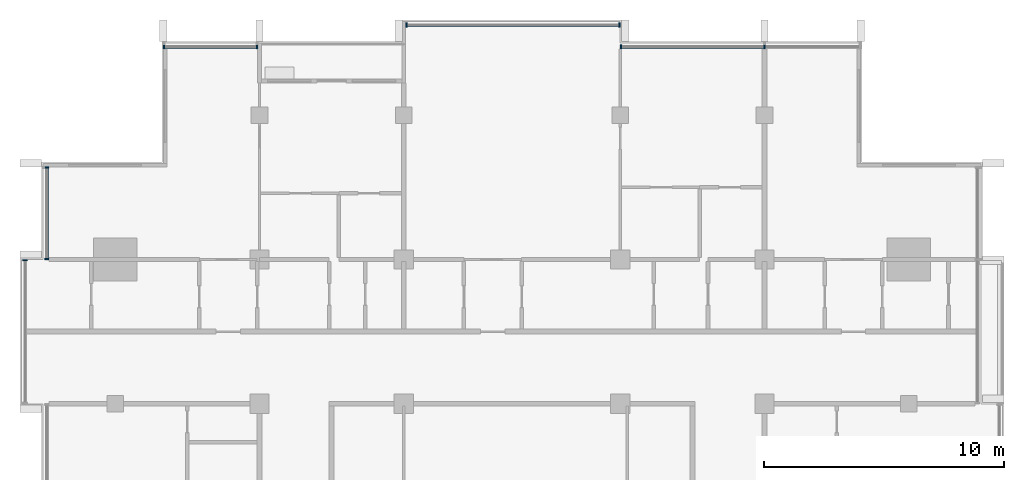
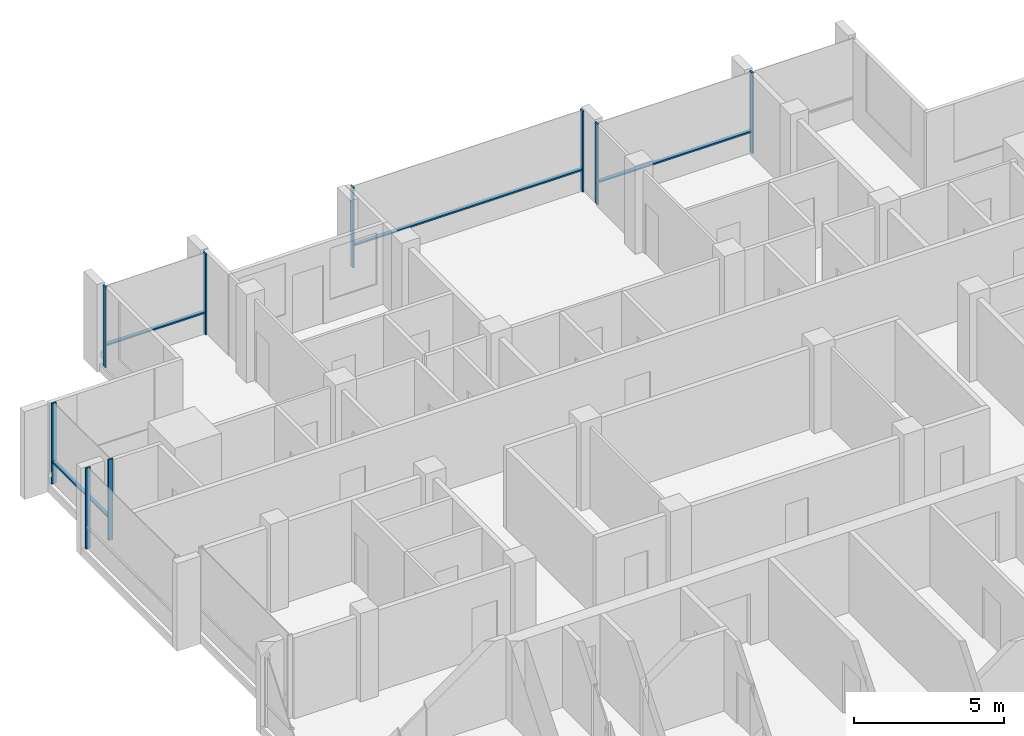
# One storey, part 4 of 16: 13 members, 5 elements without a shape of their own.
"""IFC4 building model written with IfcOpenShell, lengths in metres."""

from ifc_helpers import new_model, si_unit, direction, frame, origin, origin_2d, place, context, subcontext, project, spatial, rectangle, extrude, material, material_profile, profile_set, type_object, element, aggregate, save


model = new_model("IFC4")

# Units and contexts
model_context = context("Model", 3, precision=1e-05, world=origin(), true_north=direction((0.0, 1.0)))
body_context = subcontext(model_context, "Body", "Model", "MODEL_VIEW")
ifc_project = project(units=[si_unit("LENGTHUNIT", "METRE"), si_unit("AREAUNIT", "SQUARE_METRE"), si_unit("VOLUMEUNIT", "CUBIC_METRE"), si_unit("PLANEANGLEUNIT", "RADIAN"), si_unit("MASSUNIT", "GRAM", prefix="KILO")], contexts=[model_context])

# Site, building, storey
site_placement = place(None, origin())
site = spatial("IfcSite", under=ifc_project, at=site_placement, CompositionType="ELEMENT")
building_placement = place(site_placement, origin())
building = spatial("IfcBuilding", under=site, at=building_placement, Name="Finial Court Residences", CompositionType="ELEMENT")
storey_placement = place(building_placement, frame((0.0, 0.0, 291.5)))
storey = spatial("IfcBuildingStorey", under=building, at=storey_placement, Name="L74", CompositionType="ELEMENT", Elevation=291.5)

# Curtain wall, members
ifc_material = material(Name="Bronze anodised aluminium", Category="aluminium")
curtain_wall_type = type_object("IfcCurtainWallType", Name="Unitised curtain wall, upper zones", PredefinedType="NOTDEFINED", material=ifc_material)
curtain_wall_1_placement = place(storey_placement, origin())
curtain_wall_1 = element("IfcCurtainWall", 1, at=curtain_wall_1_placement, inside=storey, type_object=curtain_wall_type, Name="E-L74-CW-N1", PredefinedType="NOTDEFINED")
ifc_material_profile_1 = material_profile(ifc_material, rectangle(XDim=0.175048828125, YDim=0.06005859375, at=origin_2d()), Name="CW2 mullion 60 x 175")
ifc_profile_set_1 = profile_set([ifc_material_profile_1], Name="Bronze anodised aluminium")
member_type_1 = type_object("IfcMemberType", Name="CW2 mullion 60 x 175", PredefinedType="MULLION", material=ifc_profile_set_1)
member_1_placement = place(storey_placement, frame((-14.469970703125, 16.35009765625, 0.0), z_axis=(0.0, 0.0, 1.0), x_axis=(0.0, 1.0, 0.0)))
member_1 = element("IfcMember", 2, at=member_1_placement, type_object=member_type_1, Name="CW2 mullion 1", PredefinedType="MULLION", context=body_context, shape_type="SweptSolid", body=[
    extrude(rectangle(XDim=0.175048828125, YDim=0.06005859375, at=origin_2d()), origin(), (0.0, 0.0, 1.0), 3.300048828125),
])
member_2_placement = place(storey_placement, frame((-10.60498046875, 16.35009765625, 0.0), z_axis=(0.0, 0.0, 1.0), x_axis=(0.0, 1.0, 0.0)))
member_2 = element("IfcMember", 3, at=member_2_placement, type_object=member_type_1, Name="CW2 mullion 2", PredefinedType="MULLION", context=body_context, shape_type="SweptSolid", body=[
    extrude(rectangle(XDim=0.175048828125, YDim=0.06005859375, at=origin_2d()), origin(), (0.0, 0.0, 1.0), 3.300048828125),
])

curtain_wall_2_placement = place(storey_placement, origin())
curtain_wall_2 = element("IfcCurtainWall", 4, at=curtain_wall_2_placement, inside=storey, type_object=curtain_wall_type, Name="E-L74-CW-N2", PredefinedType="NOTDEFINED")
member_3_placement = place(storey_placement, frame((-4.39501953125, 17.25, 0.0), z_axis=(0.0, 0.0, 1.0), x_axis=(0.0, 1.0, 0.0)))
member_3 = element("IfcMember", 5, at=member_3_placement, type_object=member_type_1, Name="CW2 mullion 1", PredefinedType="MULLION", context=body_context, shape_type="SweptSolid", body=[
    extrude(rectangle(XDim=0.175048828125, YDim=0.06005859375, at=origin_2d()), origin(), (0.0, 0.0, 1.0), 3.300048828125),
])
member_4_placement = place(storey_placement, frame((4.469970703125, 17.25, 0.0), z_axis=(0.0, 0.0, 1.0), x_axis=(0.0, 1.0, 0.0)))
member_4 = element("IfcMember", 6, at=member_4_placement, type_object=member_type_1, Name="CW2 mullion 2", PredefinedType="MULLION", context=body_context, shape_type="SweptSolid", body=[
    extrude(rectangle(XDim=0.175048828125, YDim=0.06005859375, at=origin_2d()), origin(), (0.0, 0.0, 1.0), 3.300048828125),
])

curtain_wall_3_placement = place(storey_placement, origin())
curtain_wall_3 = element("IfcCurtainWall", 7, at=curtain_wall_3_placement, inside=storey, type_object=curtain_wall_type, Name="E-L74-CW-N3", PredefinedType="NOTDEFINED")
member_5_placement = place(storey_placement, frame((4.530029296875, 16.35009765625, 0.0), z_axis=(0.0, 0.0, 1.0), x_axis=(0.0, 1.0, 0.0)))
member_5 = element("IfcMember", 8, at=member_5_placement, type_object=member_type_1, Name="CW2 mullion 1", PredefinedType="MULLION", context=body_context, shape_type="SweptSolid", body=[
    extrude(rectangle(XDim=0.175048828125, YDim=0.06005859375, at=origin_2d()), origin(), (0.0, 0.0, 1.0), 3.300048828125),
])
member_6_placement = place(storey_placement, frame((10.5, 16.35009765625, 0.0), z_axis=(0.0, 0.0, 1.0), x_axis=(0.0, 1.0, 0.0)))
member_6 = element("IfcMember", 9, at=member_6_placement, type_object=member_type_1, Name="CW2 mullion 2", PredefinedType="MULLION", context=body_context, shape_type="SweptSolid", body=[
    extrude(rectangle(XDim=0.175048828125, YDim=0.06005859375, at=origin_2d()), origin(), (0.0, 0.0, 1.0), 3.300048828125),
])

# Curtain wall, member
curtain_wall_4_placement = place(storey_placement, origin())
curtain_wall_4 = element("IfcCurtainWall", 10, at=curtain_wall_4_placement, inside=storey, type_object=curtain_wall_type, Name="E-L74-CW-W12", PredefinedType="NOTDEFINED")
member_7_placement = place(storey_placement, frame((-20.25, 7.469970703125, 0.0), z_axis=(0.0, 0.0, 1.0), x_axis=(-1.0, 0.0, 0.0)))
member_7 = element("IfcMember", 11, at=member_7_placement, type_object=member_type_1, Name="CW2 mullion 2", PredefinedType="MULLION", context=body_context, shape_type="SweptSolid", body=[
    extrude(rectangle(XDim=0.175048828125, YDim=0.06005859375, at=origin_2d()), origin(), (0.0, 0.0, 1.0), 3.300048828125),
])
aggregate(curtain_wall_4, [member_7])

# Curtain wall, members
curtain_wall_5_placement = place(storey_placement, origin())
curtain_wall_5 = element("IfcCurtainWall", 12, at=curtain_wall_5_placement, inside=storey, type_object=curtain_wall_type, Name="E-L74-CW-W13", PredefinedType="NOTDEFINED")
member_8_placement = place(storey_placement, frame((-19.35009765625, 7.530029296875, 0.0), z_axis=(0.0, 0.0, 1.0), x_axis=(-1.0, 0.0, 0.0)))
member_8 = element("IfcMember", 13, at=member_8_placement, type_object=member_type_1, Name="CW2 mullion 1", PredefinedType="MULLION", context=body_context, shape_type="SweptSolid", body=[
    extrude(rectangle(XDim=0.175048828125, YDim=0.06005859375, at=origin_2d()), origin(), (0.0, 0.0, 1.0), 3.300048828125),
])
member_9_placement = place(storey_placement, frame((-19.35009765625, 11.320068359375, 0.0), z_axis=(0.0, 0.0, 1.0), x_axis=(-1.0, 0.0, 0.0)))
member_9 = element("IfcMember", 14, at=member_9_placement, type_object=member_type_1, Name="CW2 mullion 2", PredefinedType="MULLION", context=body_context, shape_type="SweptSolid", body=[
    extrude(rectangle(XDim=0.175048828125, YDim=0.06005859375, at=origin_2d()), origin(), (0.0, 0.0, 1.0), 3.300048828125),
])

# Member
ifc_material_profile_2 = material_profile(ifc_material, rectangle(XDim=0.139892578125, YDim=0.06005859375, at=origin_2d()), Name="CW2 transom 60 x 140")
ifc_profile_set_2 = profile_set([ifc_material_profile_2], Name="Bronze anodised aluminium")
member_type_2 = type_object("IfcMemberType", Name="CW2 transom 60 x 140", PredefinedType="USERDEFINED", material=ifc_profile_set_2)
member_10_placement = place(storey_placement, frame((-14.43994140625, 16.35009765625, 0.89990234375), z_axis=(1.0, 0.0, 0.0), x_axis=(0.0, 1.0, 0.0)))
member_10 = element("IfcMember", 15, at=member_10_placement, type_object=member_type_2, Name="CW2 transom 1.1", ObjectType="TRANSOM", PredefinedType="USERDEFINED", context=body_context, shape_type="SweptSolid", body=[
    extrude(rectangle(XDim=0.139892578125, YDim=0.06005859375, at=origin_2d()), origin(), (0.0, 0.0, 1.0), 3.804931640625),
])

aggregate(curtain_wall_1, [member_1, member_2, member_10])

member_11_placement = place(storey_placement, frame((-4.364990234375, 17.25, 0.89990234375), z_axis=(1.0, 0.0, 0.0), x_axis=(0.0, 1.0, 0.0)))
member_11 = element("IfcMember", 16, at=member_11_placement, type_object=member_type_2, Name="CW2 transom 1.1", ObjectType="TRANSOM", PredefinedType="USERDEFINED", context=body_context, shape_type="SweptSolid", body=[
    extrude(rectangle(XDim=0.139892578125, YDim=0.06005859375, at=origin_2d()), origin(), (0.0, 0.0, 1.0), 8.804931640625),
])

aggregate(curtain_wall_2, [member_3, member_4, member_11])

member_12_placement = place(storey_placement, frame((4.56005859375, 16.35009765625, 0.89990234375), z_axis=(1.0, 0.0, 0.0), x_axis=(0.0, 1.0, 0.0)))
member_12 = element("IfcMember", 17, at=member_12_placement, type_object=member_type_2, Name="CW2 transom 1.1", ObjectType="TRANSOM", PredefinedType="USERDEFINED", context=body_context, shape_type="SweptSolid", body=[
    extrude(rectangle(XDim=0.139892578125, YDim=0.06005859375, at=origin_2d()), origin(), (0.0, 0.0, 1.0), 5.909912109375),
])

aggregate(curtain_wall_3, [member_5, member_6, member_12])

member_13_placement = place(storey_placement, frame((-19.35009765625, 7.56005859375, 0.89990234375), z_axis=(0.0, 1.0, 0.0), x_axis=(-1.0, 0.0, 0.0)))
member_13 = element("IfcMember", 18, at=member_13_placement, type_object=member_type_2, Name="CW2 transom 1.1", ObjectType="TRANSOM", PredefinedType="USERDEFINED", context=body_context, shape_type="SweptSolid", body=[
    extrude(rectangle(XDim=0.139892578125, YDim=0.06005859375, at=origin_2d()), origin(), (0.0, 0.0, 1.0), 3.72998046875),
])

aggregate(curtain_wall_5, [member_8, member_9, member_13])

save(model, "model.ifc")
